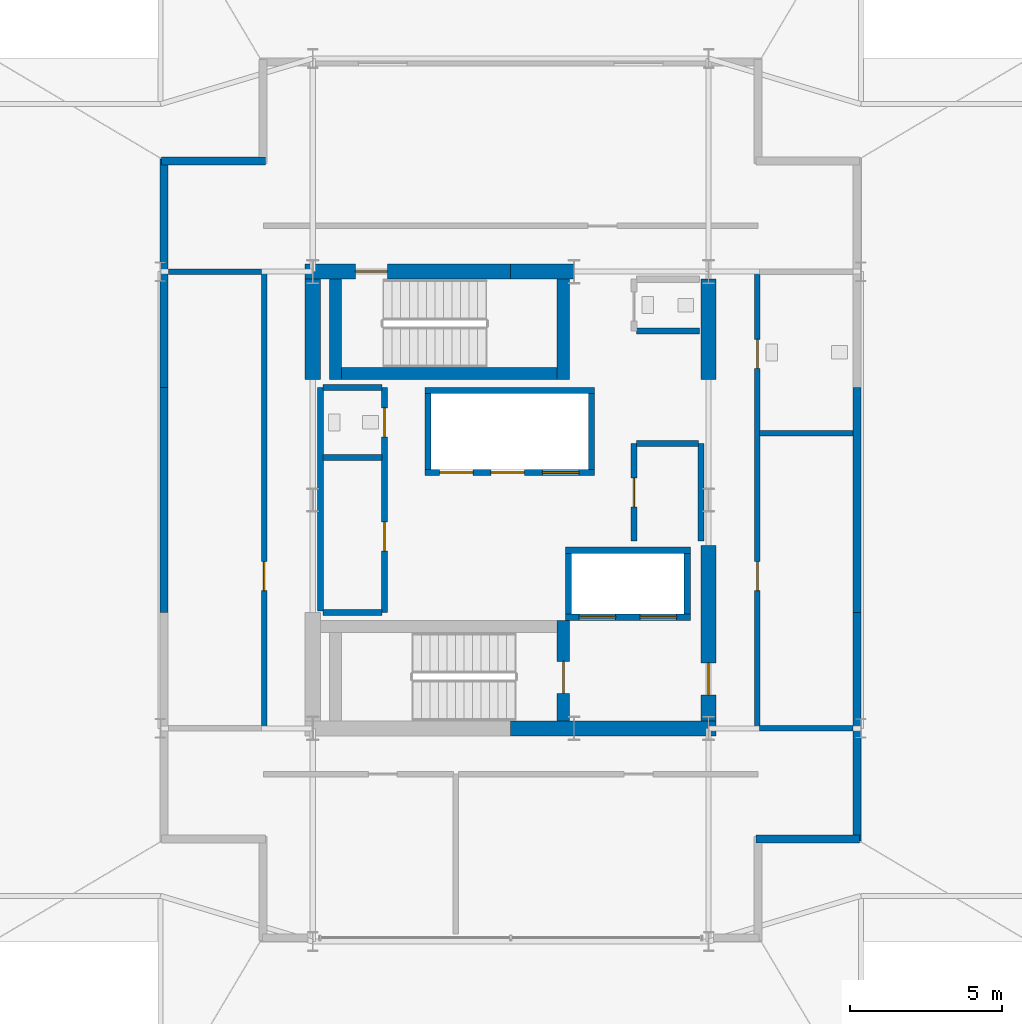
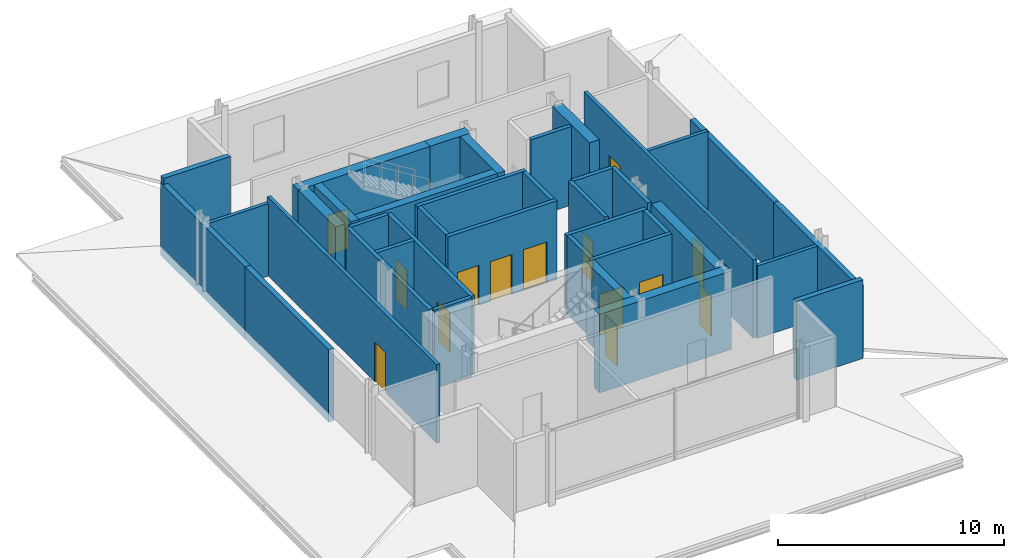
# One storey, part 6 of 9: 38 walls, 14 doors, 14 openings.
"""IFC4 building model written with IfcOpenShell, lengths in metres."""

from ifc_helpers import new_model, si_unit, direction, frame, frame_2d, origin, place, context, subcontext, project, spatial, rectangle, extrude, material, layer, layer_set, type_object, element, fill, save


model = new_model("IFC4")

# Units and contexts
model_context = context("Model", 3, precision=1e-05, world=origin(), true_north=direction((0.0, 1.0)))
body_context = subcontext(model_context, "Body", "Model", "MODEL_VIEW")
ifc_project = project(units=[si_unit("LENGTHUNIT", "METRE"), si_unit("AREAUNIT", "SQUARE_METRE"), si_unit("VOLUMEUNIT", "CUBIC_METRE"), si_unit("PLANEANGLEUNIT", "RADIAN"), si_unit("MASSUNIT", "GRAM", prefix="KILO")], contexts=[model_context])

# Site, building, storey
site_placement = place(None, origin())
site = spatial("IfcSite", under=ifc_project, at=site_placement, CompositionType="ELEMENT")
building_placement = place(site_placement, origin())
building = spatial("IfcBuilding", under=site, at=building_placement, Name="Barlavira Tower and Art Museum", CompositionType="ELEMENT")
storey_placement = place(building_placement, frame((0.0, 0.0, 309.89990234375)))
storey = spatial("IfcBuildingStorey", under=building, at=storey_placement, Name="L81", CompositionType="ELEMENT", Elevation=309.89990234375)

# Wall
ifc_material_1 = material(Name="Concrete C60", Category="concrete")
ifc_layer_1 = layer(ifc_material_1, 0.5, Name="Concrete C60")
ifc_layer_set_1 = layer_set([ifc_layer_1], Name="Concrete C60")
wall_type_1 = type_object("IfcWallType", Name="Core Structural Shear Wall 500 Concrete C60", PredefinedType="SHEAR", material=ifc_layer_set_1)
wall_1_placement = place(storey_placement, frame((0.0, -7.5, 0.0), z_axis=(0.0, 0.0, 1.0), x_axis=(1.0, 0.0, 0.0)))
element("IfcWall", 1, at=wall_1_placement, inside=storey, type_object=wall_type_1, Name="L81 Core Shear Wall CS-SE", PredefinedType="SHEAR", context=body_context, shape_type="SweptSolid", body=[
    extrude(rectangle(XDim=6.75, YDim=0.5, at=frame_2d((3.375, 0.0))), origin(), (0.0, 0.0, 1.0), 4.25),
])

# Wall, opening, door
wall_2_placement = place(storey_placement, frame((-6.75, 7.5, 0.0), z_axis=(0.0, 0.0, 1.0), x_axis=(1.0, 0.0, 0.0)))
wall_2 = element("IfcWall", 2, at=wall_2_placement, inside=storey, type_object=wall_type_1, Name="L81 Core Shear Wall CS-NW", PredefinedType="SHEAR", context=body_context, shape_type="SweptSolid", body=[
    extrude(rectangle(XDim=6.75, YDim=0.5, at=frame_2d((3.375, 0.0))), origin(), (0.0, 0.0, 1.0), 4.25),
])
opening_1_placement = place(wall_2_placement, frame((1.64990234375, 0.0, 0.0)))
opening_1 = element("IfcOpeningElement", 3, at=opening_1_placement, cuts=wall_2, Name="Opening FD-90", PredefinedType="OPENING", context=body_context, shape_type="SweptSolid", body=[
    extrude(rectangle(XDim=1.050048828125, YDim=2.14990234375, at=frame_2d((0.52490234375, 1.074951171875))), frame((0.0, 0.260009765625, 0.0), z_axis=(0.0, -1.0, 0.0), x_axis=(1.0, 0.0, 0.0)), (0.0, 0.0, 1.0), 0.52001953125),
])
ifc_material_2 = material(Name="Brushed stainless steel", Category="steel")
door_type_1 = type_object("IfcDoorType", Name="Stair and Refuge Fire Door 1050x2150 FD90S", OperationType="NOTDEFINED", PredefinedType="DOOR", material=ifc_material_2)
door_1_placement = place(opening_1_placement, origin())
door_1 = element("IfcDoor", 4, at=door_1_placement, inside=storey, type_object=door_type_1, Name="L81 Stair ST-T2 Fire Door", OperationType="SINGLE_SWING_LEFT", OverallHeight=2.14990234375, OverallWidth=1.050048828125, PredefinedType="DOOR", context=body_context, shape_type="SweptSolid", body=[
    extrude(rectangle(XDim=1.050048828125, YDim=2.14990234375, at=frame_2d((0.52490234375, 1.074951171875))), frame((0.0, 0.02490234375, 0.0), z_axis=(0.0, -1.0, 0.0), x_axis=(1.0, 0.0, 0.0)), (0.0, 0.0, 1.0), 0.050048828125),
])
fill(opening_1, door_1)

# Walls
wall_3_placement = place(storey_placement, frame((0.0, 7.5, 0.0), z_axis=(0.0, 0.0, 1.0), x_axis=(1.0, 0.0, 0.0)))
element("IfcWall", 5, at=wall_3_placement, inside=storey, type_object=wall_type_1, Name="L81 Core Shear Wall CS-EN", PredefinedType="SHEAR", context=body_context, shape_type="SweptSolid", body=[
    extrude(rectangle(XDim=2.080078125, YDim=0.5, at=frame_2d((1.0400390625, 0.0))), origin(), (0.0, 0.0, 1.0), 4.25),
])
wall_4_placement = place(storey_placement, frame((-6.5, 3.949951171875, 0.0), z_axis=(0.0, 0.0, 1.0), x_axis=(0.0, 1.0, 0.0)))
element("IfcWall", 6, at=wall_4_placement, inside=storey, type_object=wall_type_1, Name="L81 Core Shear Wall CS-W2", PredefinedType="SHEAR", context=body_context, shape_type="SweptSolid", body=[
    extrude(rectangle(XDim=3.300048828125, YDim=0.5, at=frame_2d((1.64990234375, 0.0))), origin(), (0.0, 0.0, 1.0), 4.25),
])

# Wall, opening, door
wall_5_placement = place(storey_placement, frame((6.5, -7.25, 0.0), z_axis=(0.0, 0.0, 1.0), x_axis=(0.0, 1.0, 0.0)))
wall_5 = element("IfcWall", 7, at=wall_5_placement, inside=storey, type_object=wall_type_1, Name="L81 Core Shear Wall CS-E1", PredefinedType="SHEAR", context=body_context, shape_type="SweptSolid", body=[
    extrude(rectangle(XDim=5.75, YDim=0.5, at=frame_2d((2.875, 0.0))), origin(), (0.0, 0.0, 1.0), 4.25),
])
opening_2_placement = place(wall_5_placement, frame((0.85009765625, 0.0, 0.0)))
opening_2 = element("IfcOpeningElement", 8, at=opening_2_placement, cuts=wall_5, Name="Opening FD-90", PredefinedType="OPENING", context=body_context, shape_type="SweptSolid", body=[
    extrude(rectangle(XDim=1.050048828125, YDim=2.14990234375, at=frame_2d((0.52490234375, 1.074951171875))), frame((0.0, 0.260009765625, 0.0), z_axis=(0.0, -1.0, 0.0), x_axis=(1.0, 0.0, 0.0)), (0.0, 0.0, 1.0), 0.52001953125),
])
door_2_placement = place(opening_2_placement, origin())
door_2 = element("IfcDoor", 9, at=door_2_placement, inside=storey, type_object=door_type_1, Name="L81 Firefighting Lobby Entry Fire Door", OperationType="SINGLE_SWING_LEFT", OverallHeight=2.14990234375, OverallWidth=1.050048828125, PredefinedType="DOOR", context=body_context, shape_type="SweptSolid", body=[
    extrude(rectangle(XDim=1.050048828125, YDim=2.14990234375, at=frame_2d((0.52490234375, 1.074951171875))), frame((0.0, 0.02490234375, 0.0), z_axis=(0.0, -1.0, 0.0), x_axis=(1.0, 0.0, 0.0)), (0.0, 0.0, 1.0), 0.050048828125),
])
fill(opening_2, door_2)

# Walls
wall_6_placement = place(storey_placement, frame((6.5, 3.949951171875, 0.0), z_axis=(0.0, 0.0, 1.0), x_axis=(0.0, 1.0, 0.0)))
element("IfcWall", 10, at=wall_6_placement, inside=storey, type_object=wall_type_1, Name="L81 Core Shear Wall CS-E2", PredefinedType="SHEAR", context=body_context, shape_type="SweptSolid", body=[
    extrude(rectangle(XDim=3.300048828125, YDim=0.5, at=frame_2d((1.64990234375, 0.0))), origin(), (0.0, 0.0, 1.0), 4.25),
])
ifc_material_3 = material(Name="Architectural white precast concrete C40", Category="concrete")
ifc_layer_2 = layer(ifc_material_3, 0.260009765625, Name="Architectural white precast concrete C40")
ifc_layer_set_2 = layer_set([ifc_layer_2], Name="Architectural white precast concrete C40")
wall_type_2 = type_object("IfcWallType", Name="Crown Architectural White Precast Wall 260 Concrete C40", PredefinedType="SOLIDWALL", material=ifc_layer_set_2)
wall_7_placement = place(storey_placement, frame((-11.3798828125, 3.699951171875, 0.0), z_axis=(0.0, 0.0, 1.0), x_axis=(0.0, -1.0, 0.0)))
element("IfcWall", 11, at=wall_7_placement, inside=storey, type_object=wall_type_2, Name="L81 Chisel W White Precast Wall 2", PredefinedType="SOLIDWALL", context=body_context, shape_type="SweptSolid", body=[
    extrude(rectangle(XDim=7.39990234375, YDim=0.260009765625, at=frame_2d((3.699951171875, 0.0))), origin(), (0.0, 0.0, 1.0), 3.918212890625),
])
for number, where, z_axis, x_axis, name in (
    (12, (-11.3798828125, 11.199951171875, 0.0), (0.0, 0.0, 1.0), (0.0, -1.0, 0.0), "L81 Chisel W White Precast Wall 3"),
    (13, (11.3798828125, -11.199951171875, 0.0), (0.0, 0.0, 1.0), (0.0, 1.0, 0.0), "L81 Chisel E White Precast Wall 1"),
):
    element("IfcWall", number, at=place(storey_placement, frame(where, z_axis=z_axis, x_axis=x_axis)), inside=storey, type_object=wall_type_2, Name=name, PredefinedType="SOLIDWALL", context=body_context, shape_type="SweptSolid", body=[
        extrude(rectangle(XDim=7.5, YDim=0.260009765625, at=frame_2d((3.75, 0.0))), origin(), (0.0, 0.0, 1.0), 3.918212890625),
    ])
wall_8_placement = place(storey_placement, frame((11.3798828125, -3.699951171875, 0.0), z_axis=(0.0, 0.0, 1.0), x_axis=(0.0, 1.0, 0.0)))
element("IfcWall", 14, at=wall_8_placement, inside=storey, type_object=wall_type_2, Name="L81 Chisel E White Precast Wall 2", PredefinedType="SOLIDWALL", context=body_context, shape_type="SweptSolid", body=[
    extrude(rectangle(XDim=7.39990234375, YDim=0.260009765625, at=frame_2d((3.699951171875, 0.0))), origin(), (0.0, 0.0, 1.0), 3.918212890625),
])
for number, where, z_axis, x_axis, name in (
    (15, (8.050048828125, -11.1298828125, 0.0), (0.0, 0.0, 1.0), (1.0, 0.0, 0.0), "L81 Crown Notch White Precast Wall SE2"),
    (16, (-8.050048828125, 11.1298828125, 0.0), (0.0, 0.0, 1.0), (-1.0, 0.0, 0.0), "L81 Crown Notch White Precast Wall NW2"),
):
    element("IfcWall", number, at=place(storey_placement, frame(where, z_axis=z_axis, x_axis=x_axis)), inside=storey, type_object=wall_type_2, Name=name, PredefinedType="SOLIDWALL", context=body_context, shape_type="SweptSolid", body=[
        extrude(rectangle(XDim=3.409912109375, YDim=0.260009765625, at=frame_2d((1.705078125, 0.0))), origin(), (0.0, 0.0, 1.0), 4.25),
    ])

# Wall, openings, doors
ifc_material_4 = material(Name="Autoclaved aerated concrete masonry", Category="masonry")
ifc_layer_3 = layer(ifc_material_4, 0.199951171875, Name="Autoclaved aerated concrete masonry")
ifc_layer_set_3 = layer_set([ifc_layer_3], Name="Autoclaved aerated concrete masonry")
wall_type_3 = type_object("IfcWallType", Name="Fire Compartment and Shaft Wall 200", PredefinedType="SOLIDWALL", material=ifc_layer_set_3)
wall_9_placement = place(storey_placement, frame((-2.820068359375, 0.89990234375, 0.0), z_axis=(0.0, 0.0, 1.0), x_axis=(1.0, 0.0, 0.0)))
wall_9 = element("IfcWall", 17, at=wall_9_placement, inside=storey, type_object=wall_type_3, Name="L81 High-Rise & Service Lift Front Wall", PredefinedType="SOLIDWALL", context=body_context, shape_type="SweptSolid", body=[
    extrude(rectangle(XDim=5.580078125, YDim=0.199951171875, at=frame_2d((2.7900390625, 0.0))), origin(), (0.0, 0.0, 1.0), 4.25),
])
opening_3_placement = place(wall_9_placement, frame((0.489990234375, 0.0, 0.0)))
opening_3 = element("IfcOpeningElement", 18, at=opening_3_placement, cuts=wall_9, Name="Opening LD-P", PredefinedType="OPENING", context=body_context, shape_type="SweptSolid", body=[
    extrude(rectangle(XDim=1.10009765625, YDim=2.14990234375, at=frame_2d((0.550048828125, 1.074951171875))), frame((0.0, 0.10986328125, 0.0), z_axis=(0.0, -1.0, 0.0), x_axis=(1.0, 0.0, 0.0)), (0.0, 0.0, 1.0), 0.219970703125),
])
opening_4_placement = place(wall_9_placement, frame((2.169921875, 0.0, 0.0)))
opening_4 = element("IfcOpeningElement", 19, at=opening_4_placement, cuts=wall_9, Name="Opening LD-P", PredefinedType="OPENING", context=body_context, shape_type="SweptSolid", body=[
    extrude(rectangle(XDim=1.10009765625, YDim=2.14990234375, at=frame_2d((0.550048828125, 1.074951171875))), frame((0.0, 0.10986328125, 0.0), z_axis=(0.0, -1.0, 0.0), x_axis=(1.0, 0.0, 0.0)), (0.0, 0.0, 1.0), 0.219970703125),
])
opening_5_placement = place(wall_9_placement, frame((3.860107421875, 0.0, 0.0)))
opening_5 = element("IfcOpeningElement", 20, at=opening_5_placement, cuts=wall_9, Name="Opening LD-F", PredefinedType="OPENING", context=body_context, shape_type="SweptSolid", body=[
    extrude(rectangle(XDim=1.199951171875, YDim=2.199951171875, at=frame_2d((0.60009765625, 1.10009765625))), frame((0.0, 0.10986328125, 0.0), z_axis=(0.0, -1.0, 0.0), x_axis=(1.0, 0.0, 0.0)), (0.0, 0.0, 1.0), 0.219970703125),
])
door_type_2 = type_object("IfcDoorType", Name="Firefighting and Service Lift Sliding Door 1200x2200 FD120", OperationType="NOTDEFINED", PredefinedType="DOOR", material=ifc_material_2)
door_3_placement = place(opening_5_placement, origin())
door_3 = element("IfcDoor", 21, at=door_3_placement, inside=storey, type_object=door_type_2, Name="L81 Stretcher Service Lift SL1 Sliding Door", OperationType="DOUBLE_DOOR_SLIDING", OverallHeight=2.199951171875, OverallWidth=1.199951171875, PredefinedType="DOOR", context=body_context, shape_type="SweptSolid", body=[
    extrude(rectangle(XDim=1.199951171875, YDim=2.199951171875, at=frame_2d((0.60009765625, 1.10009765625))), frame((0.0, 0.02490234375, 0.0), z_axis=(0.0, -1.0, 0.0), x_axis=(1.0, 0.0, 0.0)), (0.0, 0.0, 1.0), 0.050048828125),
])
fill(opening_5, door_3)
door_type_3 = type_object("IfcDoorType", Name="Passenger Lift Sliding Landing Door 1100x2150 FD60", OperationType="NOTDEFINED", PredefinedType="DOOR", material=ifc_material_2)
door_4_placement = place(opening_3_placement, origin())
door_4 = element("IfcDoor", 22, at=door_4_placement, inside=storey, type_object=door_type_3, Name="L81 Lift PH1 Sliding Landing Door", OperationType="DOUBLE_DOOR_SLIDING", OverallHeight=2.14990234375, OverallWidth=1.10009765625, PredefinedType="DOOR", context=body_context, shape_type="SweptSolid", body=[
    extrude(rectangle(XDim=1.10009765625, YDim=2.14990234375, at=frame_2d((0.550048828125, 1.074951171875))), frame((0.0, 0.02490234375, 0.0), z_axis=(0.0, -1.0, 0.0), x_axis=(1.0, 0.0, 0.0)), (0.0, 0.0, 1.0), 0.050048828125),
])
fill(opening_3, door_4)
door_5_placement = place(opening_4_placement, origin())
door_5 = element("IfcDoor", 23, at=door_5_placement, inside=storey, type_object=door_type_3, Name="L81 Lift PH2 Sliding Landing Door", OperationType="DOUBLE_DOOR_SLIDING", OverallHeight=2.14990234375, OverallWidth=1.10009765625, PredefinedType="DOOR", context=body_context, shape_type="SweptSolid", body=[
    extrude(rectangle(XDim=1.10009765625, YDim=2.14990234375, at=frame_2d((0.550048828125, 1.074951171875))), frame((0.0, 0.02490234375, 0.0), z_axis=(0.0, -1.0, 0.0), x_axis=(1.0, 0.0, 0.0)), (0.0, 0.0, 1.0), 0.050048828125),
])
fill(opening_4, door_5)

# Walls
wall_10_placement = place(storey_placement, frame((-2.820068359375, 3.60009765625, 0.0), z_axis=(0.0, 0.0, 1.0), x_axis=(1.0, 0.0, 0.0)))
element("IfcWall", 24, at=wall_10_placement, inside=storey, type_object=wall_type_3, Name="L81 High-Rise & Service Lift Back Wall", PredefinedType="SOLIDWALL", context=body_context, shape_type="SweptSolid", body=[
    extrude(rectangle(XDim=5.580078125, YDim=0.199951171875, at=frame_2d((2.7900390625, 0.0))), origin(), (0.0, 0.0, 1.0), 4.25),
])
for number, where, z_axis, x_axis, name in (
    (25, (-2.719970703125, 1.0, 0.0), (0.0, 0.0, 1.0), (0.0, 1.0, 0.0), "L81 High-Rise & Service Lift West Wall"),
    (26, (2.659912109375, 1.0, 0.0), (0.0, 0.0, 1.0), (0.0, 1.0, 0.0), "L81 High-Rise & Service Lift East Wall"),
):
    element("IfcWall", number, at=place(storey_placement, frame(where, z_axis=z_axis, x_axis=x_axis)), inside=storey, type_object=wall_type_3, Name=name, PredefinedType="SOLIDWALL", context=body_context, shape_type="SweptSolid", body=[
        extrude(rectangle(XDim=2.5, YDim=0.199951171875, at=frame_2d((1.25, 0.0))), origin(), (0.0, 0.0, 1.0), 4.25),
    ])

# Wall, openings, doors
wall_11_placement = place(storey_placement, frame((1.800048828125, -3.85009765625, 0.0), z_axis=(0.0, 0.0, 1.0), x_axis=(1.0, 0.0, 0.0)))
wall_11 = element("IfcWall", 27, at=wall_11_placement, inside=storey, type_object=wall_type_3, Name="L81 Firefighting Lift Front Shaft Wall", PredefinedType="SOLIDWALL", context=body_context, shape_type="SweptSolid", body=[
    extrude(rectangle(XDim=4.099853515625, YDim=0.199951171875, at=frame_2d((2.0498046875, 0.0))), origin(), (0.0, 0.0, 1.0), 4.25),
])
opening_6_placement = place(wall_11_placement, frame((0.449951171875, 0.0, 0.0)))
opening_6 = element("IfcOpeningElement", 28, at=opening_6_placement, cuts=wall_11, Name="Opening LD-F", PredefinedType="OPENING", context=body_context, shape_type="SweptSolid", body=[
    extrude(rectangle(XDim=1.199951171875, YDim=2.199951171875, at=frame_2d((0.60009765625, 1.10009765625))), frame((0.0, 0.10986328125, 0.0), z_axis=(0.0, -1.0, 0.0), x_axis=(1.0, 0.0, 0.0)), (0.0, 0.0, 1.0), 0.219970703125),
])
opening_7_placement = place(wall_11_placement, frame((2.449951171875, 0.0, 0.0)))
opening_7 = element("IfcOpeningElement", 29, at=opening_7_placement, cuts=wall_11, Name="Opening LD-F", PredefinedType="OPENING", context=body_context, shape_type="SweptSolid", body=[
    extrude(rectangle(XDim=1.199951171875, YDim=2.199951171875, at=frame_2d((0.60009765625, 1.10009765625))), frame((0.0, 0.10986328125, 0.0), z_axis=(0.0, -1.0, 0.0), x_axis=(1.0, 0.0, 0.0)), (0.0, 0.0, 1.0), 0.219970703125),
])
door_6_placement = place(opening_6_placement, origin())
door_6 = element("IfcDoor", 30, at=door_6_placement, inside=storey, type_object=door_type_2, Name="L81 Firefighting Lift FF1 Sliding Door", OperationType="DOUBLE_DOOR_SLIDING", OverallHeight=2.199951171875, OverallWidth=1.199951171875, PredefinedType="DOOR", context=body_context, shape_type="SweptSolid", body=[
    extrude(rectangle(XDim=1.199951171875, YDim=2.199951171875, at=frame_2d((0.60009765625, 1.10009765625))), frame((0.0, 0.02490234375, 0.0), z_axis=(0.0, -1.0, 0.0), x_axis=(1.0, 0.0, 0.0)), (0.0, 0.0, 1.0), 0.050048828125),
])
fill(opening_6, door_6)
door_7_placement = place(opening_7_placement, origin())
door_7 = element("IfcDoor", 31, at=door_7_placement, inside=storey, type_object=door_type_2, Name="L81 Firefighting Lift FF2 Sliding Door", OperationType="DOUBLE_DOOR_SLIDING", OverallHeight=2.199951171875, OverallWidth=1.199951171875, PredefinedType="DOOR", context=body_context, shape_type="SweptSolid", body=[
    extrude(rectangle(XDim=1.199951171875, YDim=2.199951171875, at=frame_2d((0.60009765625, 1.10009765625))), frame((0.0, 0.02490234375, 0.0), z_axis=(0.0, -1.0, 0.0), x_axis=(1.0, 0.0, 0.0)), (0.0, 0.0, 1.0), 0.050048828125),
])
fill(opening_7, door_7)

# Walls
wall_12_placement = place(storey_placement, frame((1.800048828125, -1.64990234375, 0.0), z_axis=(0.0, 0.0, 1.0), x_axis=(1.0, 0.0, 0.0)))
element("IfcWall", 32, at=wall_12_placement, inside=storey, type_object=wall_type_3, Name="L81 Firefighting Lift Back Shaft Wall", PredefinedType="SOLIDWALL", context=body_context, shape_type="SweptSolid", body=[
    extrude(rectangle(XDim=4.099853515625, YDim=0.199951171875, at=frame_2d((2.0498046875, 0.0))), origin(), (0.0, 0.0, 1.0), 4.25),
])
for number, where, z_axis, x_axis, name in (
    (33, (1.89990234375, -3.75, 0.0), (0.0, 0.0, 1.0), (0.0, 1.0, 0.0), "L81 Firefighting Lift West Shaft Wall"),
    (34, (5.800048828125, -3.75, 0.0), (0.0, 0.0, 1.0), (0.0, 1.0, 0.0), "L81 Firefighting Lift East Shaft Wall"),
):
    element("IfcWall", number, at=place(storey_placement, frame(where, z_axis=z_axis, x_axis=x_axis)), inside=storey, type_object=wall_type_3, Name=name, PredefinedType="SOLIDWALL", context=body_context, shape_type="SweptSolid", body=[
        extrude(rectangle(XDim=2.0, YDim=0.199951171875, at=frame_2d((1.0, 0.0))), origin(), (0.0, 0.0, 1.0), 4.25),
    ])
wall_13_placement = place(storey_placement, frame((-6.25, -3.639892578125, 0.0), z_axis=(0.0, 0.0, 1.0), x_axis=(0.0, 1.0, 0.0)))
element("IfcWall", 35, at=wall_13_placement, inside=storey, type_object=wall_type_3, Name="L81 Partition Wall 2", PredefinedType="SOLIDWALL", context=body_context, shape_type="SweptSolid", body=[
    extrude(rectangle(XDim=7.33984375, YDim=0.199951171875, at=frame_2d((3.669921875, 0.0))), origin(), (0.0, 0.0, 1.0), 4.25),
])

# Wall, openings, doors
wall_14_placement = place(storey_placement, frame((-4.14990234375, -3.699951171875, 0.0), z_axis=(0.0, 0.0, 1.0), x_axis=(0.0, 1.0, 0.0)))
wall_14 = element("IfcWall", 36, at=wall_14_placement, inside=storey, type_object=wall_type_3, Name="L81 Partition Wall 3", PredefinedType="SOLIDWALL", context=body_context, shape_type="SweptSolid", body=[
    extrude(rectangle(XDim=7.39990234375, YDim=0.199951171875, at=frame_2d((3.699951171875, 0.0))), origin(), (0.0, 0.0, 1.0), 4.25),
])
opening_8_placement = place(wall_14_placement, frame((2.02490234375, 0.0, 0.0)))
opening_8 = element("IfcOpeningElement", 37, at=opening_8_placement, cuts=wall_14, Name="Opening FD-60", PredefinedType="OPENING", context=body_context, shape_type="SweptSolid", body=[
    extrude(rectangle(XDim=0.949951171875, YDim=2.14990234375, at=frame_2d((0.47509765625, 1.074951171875))), frame((0.0, 0.10986328125, 0.0), z_axis=(0.0, -1.0, 0.0), x_axis=(1.0, 0.0, 0.0)), (0.0, 0.0, 1.0), 0.219970703125),
])
opening_9_placement = place(wall_14_placement, frame((5.77490234375, 0.0, 0.0)))
opening_9 = element("IfcOpeningElement", 38, at=opening_9_placement, cuts=wall_14, Name="Opening FD-60", PredefinedType="OPENING", context=body_context, shape_type="SweptSolid", body=[
    extrude(rectangle(XDim=0.949951171875, YDim=2.14990234375, at=frame_2d((0.47509765625, 1.074951171875))), frame((0.0, 0.10986328125, 0.0), z_axis=(0.0, -1.0, 0.0), x_axis=(1.0, 0.0, 0.0)), (0.0, 0.0, 1.0), 0.219970703125),
])
door_type_4 = type_object("IfcDoorType", Name="Apartment Entrance and Riser Fire Door 950x2150 FD60S", OperationType="NOTDEFINED", PredefinedType="DOOR", material=ifc_material_2)
door_8_placement = place(opening_8_placement, origin())
door_8 = element("IfcDoor", 39, at=door_8_placement, inside=storey, type_object=door_type_4, Name="Reclaimed Core Resident Parcel Room Door", OperationType="SINGLE_SWING_LEFT", OverallHeight=2.14990234375, OverallWidth=0.949951171875, PredefinedType="DOOR", context=body_context, shape_type="SweptSolid", body=[
    extrude(rectangle(XDim=0.949951171875, YDim=2.14990234375, at=frame_2d((0.47509765625, 1.074951171875))), frame((0.0, 0.02490234375, 0.0), z_axis=(0.0, -1.0, 0.0), x_axis=(1.0, 0.0, 0.0)), (0.0, 0.0, 1.0), 0.050048828125),
])
fill(opening_8, door_8)
door_9_placement = place(opening_9_placement, origin())
door_9 = element("IfcDoor", 40, at=door_9_placement, inside=storey, type_object=door_type_4, Name="Reclaimed Core Accessible WC Door", OperationType="SINGLE_SWING_RIGHT", OverallHeight=2.14990234375, OverallWidth=0.949951171875, PredefinedType="DOOR", context=body_context, shape_type="SweptSolid", body=[
    extrude(rectangle(XDim=0.949951171875, YDim=2.14990234375, at=frame_2d((0.47509765625, 1.074951171875))), frame((0.0, 0.02490234375, 0.0), z_axis=(0.0, -1.0, 0.0), x_axis=(1.0, 0.0, 0.0)), (0.0, 0.0, 1.0), 0.050048828125),
])
fill(opening_9, door_9)

# Wall, opening, door
wall_15_placement = place(storey_placement, frame((4.050048828125, -1.35009765625, 0.0), z_axis=(0.0, 0.0, 1.0), x_axis=(0.0, 1.0, 0.0)))
wall_15 = element("IfcWall", 41, at=wall_15_placement, inside=storey, type_object=wall_type_3, Name="L81 Partition Wall 5", PredefinedType="SOLIDWALL", context=body_context, shape_type="SweptSolid", body=[
    extrude(rectangle(XDim=3.2001953125, YDim=0.199951171875, at=frame_2d((1.60009765625, 0.0))), origin(), (0.0, 0.0, 1.0), 4.25),
])
opening_10_placement = place(wall_15_placement, frame((1.125, 0.0, 0.0)))
opening_10 = element("IfcOpeningElement", 42, at=opening_10_placement, cuts=wall_15, Name="Opening FD-60", PredefinedType="OPENING", context=body_context, shape_type="SweptSolid", body=[
    extrude(rectangle(XDim=0.949951171875, YDim=2.14990234375, at=frame_2d((0.47509765625, 1.074951171875))), frame((0.0, 0.10986328125, 0.0), z_axis=(0.0, -1.0, 0.0), x_axis=(1.0, 0.0, 0.0)), (0.0, 0.0, 1.0), 0.219970703125),
])
door_10_placement = place(opening_10_placement, origin())
door_10 = element("IfcDoor", 43, at=door_10_placement, inside=storey, type_object=door_type_4, Name="Reclaimed Upper Core Valet Store Door", OperationType="SINGLE_SWING_LEFT", OverallHeight=2.14990234375, OverallWidth=0.949951171875, PredefinedType="DOOR", context=body_context, shape_type="SweptSolid", body=[
    extrude(rectangle(XDim=0.949951171875, YDim=2.14990234375, at=frame_2d((0.47509765625, 1.074951171875))), frame((0.0, 0.02490234375, 0.0), z_axis=(0.0, -1.0, 0.0), x_axis=(1.0, 0.0, 0.0)), (0.0, 0.0, 1.0), 0.050048828125),
])
fill(opening_10, door_10)

# Walls
wall_16_placement = place(storey_placement, frame((6.25, -1.35009765625, 0.0), z_axis=(0.0, 0.0, 1.0), x_axis=(0.0, 1.0, 0.0)))
element("IfcWall", 44, at=wall_16_placement, inside=storey, type_object=wall_type_3, Name="L81 Partition Wall 7", PredefinedType="SOLIDWALL", context=body_context, shape_type="SweptSolid", body=[
    extrude(rectangle(XDim=3.2001953125, YDim=0.199951171875, at=frame_2d((1.60009765625, 0.0))), origin(), (0.0, 0.0, 1.0), 4.25),
])
for number, where, z_axis, x_axis, name in (
    (45, (-6.169921875, -3.699951171875, 0.0), (0.0, 0.0, 1.0), (1.0, 0.0, 0.0), "L81 Partition Wall 13"),
    (46, (-6.169921875, 1.39990234375, 0.0), (0.0, 0.0, 1.0), (1.0, 0.0, 0.0), "L81 Partition Wall 14"),
):
    element("IfcWall", number, at=place(storey_placement, frame(where, z_axis=z_axis, x_axis=x_axis)), inside=storey, type_object=wall_type_3, Name=name, PredefinedType="SOLIDWALL", context=body_context, shape_type="SweptSolid", body=[
        extrude(rectangle(XDim=1.93994140625, YDim=0.199951171875, at=frame_2d((0.969970703125, 0.0))), origin(), (0.0, 0.0, 1.0), 4.25),
    ])
wall_17_placement = place(storey_placement, frame((4.1298828125, 1.85009765625, 0.0), z_axis=(0.0, 0.0, 1.0), x_axis=(1.0, 0.0, 0.0)))
element("IfcWall", 47, at=wall_17_placement, inside=storey, type_object=wall_type_3, Name="L81 Partition Wall 15", PredefinedType="SOLIDWALL", context=body_context, shape_type="SweptSolid", body=[
    extrude(rectangle(XDim=2.0400390625, YDim=0.199951171875, at=frame_2d((1.02001953125, 0.0))), origin(), (0.0, 0.0, 1.0), 4.25),
])
wall_18_placement = place(storey_placement, frame((-6.169921875, 3.699951171875, 0.0), z_axis=(0.0, 0.0, 1.0), x_axis=(1.0, 0.0, 0.0)))
element("IfcWall", 48, at=wall_18_placement, inside=storey, type_object=wall_type_3, Name="L81 Partition Wall 17", PredefinedType="SOLIDWALL", context=body_context, shape_type="SweptSolid", body=[
    extrude(rectangle(XDim=1.93994140625, YDim=0.199951171875, at=frame_2d((0.969970703125, 0.0))), origin(), (0.0, 0.0, 1.0), 4.25),
])
wall_19_placement = place(storey_placement, frame((4.1298828125, 5.550048828125, 0.0), z_axis=(0.0, 0.0, 1.0), x_axis=(1.0, 0.0, 0.0)))
element("IfcWall", 49, at=wall_19_placement, inside=storey, type_object=wall_type_3, Name="L81 Partition Wall 18", PredefinedType="SOLIDWALL", context=body_context, shape_type="SweptSolid", body=[
    extrude(rectangle(XDim=2.070068359375, YDim=0.199951171875, at=frame_2d((1.03515625, 0.0))), origin(), (0.0, 0.0, 1.0), 4.25),
])

# Wall, opening, door
ifc_material_5 = material(Name="Gypsum acoustic stud partition", Category="gypsum")
ifc_layer_4 = layer(ifc_material_5, 0.179931640625, Name="Gypsum acoustic stud partition")
ifc_layer_set_4 = layer_set([ifc_layer_4], Name="Gypsum acoustic stud partition")
wall_type_4 = type_object("IfcWallType", Name="Inter-Tenancy Party Partition Wall 180", PredefinedType="PARTITIONING", material=ifc_layer_set_4)
wall_20_placement = place(storey_placement, frame((-8.10009765625, -7.5, 0.0), z_axis=(0.0, 0.0, 1.0), x_axis=(0.0, 1.0, 0.0)))
wall_20 = element("IfcWall", 50, at=wall_20_placement, inside=storey, type_object=wall_type_4, Name="L81 Partition Wall 1", PredefinedType="PARTITIONING", context=body_context, shape_type="SweptSolid", body=[
    extrude(rectangle(XDim=15.0, YDim=0.179931640625, at=frame_2d((7.5, 0.0))), origin(), (0.0, 0.0, 1.0), 4.25),
])
opening_11_placement = place(wall_20_placement, frame((4.52490234375, 0.0, 0.0)))
opening_11 = element("IfcOpeningElement", 51, at=opening_11_placement, cuts=wall_20, Name="Opening FD-60", PredefinedType="OPENING", context=body_context, shape_type="SweptSolid", body=[
    extrude(rectangle(XDim=0.949951171875, YDim=2.14990234375, at=frame_2d((0.47509765625, 1.074951171875))), frame((0.0, 0.10009765625, 0.0), z_axis=(0.0, -1.0, 0.0), x_axis=(1.0, 0.0, 0.0)), (0.0, 0.0, 1.0), 0.199951171875),
])
door_11_placement = place(opening_11_placement, origin())
door_11 = element("IfcDoor", 52, at=door_11_placement, inside=storey, type_object=door_type_4, Name="L81 Botanical Research Reading Library Door", OperationType="SINGLE_SWING_RIGHT", OverallHeight=2.14990234375, OverallWidth=0.949951171875, PredefinedType="DOOR", context=body_context, shape_type="SweptSolid", body=[
    extrude(rectangle(XDim=0.949951171875, YDim=2.14990234375, at=frame_2d((0.47509765625, 1.074951171875))), frame((0.0, 0.02490234375, 0.0), z_axis=(0.0, -1.0, 0.0), x_axis=(1.0, 0.0, 0.0)), (0.0, 0.0, 1.0), 0.050048828125),
])
fill(opening_11, door_11)

# Wall, openings, doors
wall_21_placement = place(storey_placement, frame((8.10009765625, -7.5, 0.0), z_axis=(0.0, 0.0, 1.0), x_axis=(0.0, 1.0, 0.0)))
wall_21 = element("IfcWall", 53, at=wall_21_placement, inside=storey, type_object=wall_type_4, Name="L81 Partition Wall 8", PredefinedType="PARTITIONING", context=body_context, shape_type="SweptSolid", body=[
    extrude(rectangle(XDim=15.0, YDim=0.179931640625, at=frame_2d((7.5, 0.0))), origin(), (0.0, 0.0, 1.0), 4.25),
])
opening_12_placement = place(wall_21_placement, frame((4.52490234375, 0.0, 0.0)))
opening_12 = element("IfcOpeningElement", 54, at=opening_12_placement, cuts=wall_21, Name="Opening FD-60", PredefinedType="OPENING", context=body_context, shape_type="SweptSolid", body=[
    extrude(rectangle(XDim=0.949951171875, YDim=2.14990234375, at=frame_2d((0.47509765625, 1.074951171875))), frame((0.0, 0.10009765625, 0.0), z_axis=(0.0, -1.0, 0.0), x_axis=(1.0, 0.0, 0.0)), (0.0, 0.0, 1.0), 0.199951171875),
])
opening_13_placement = place(wall_21_placement, frame((11.824951171875, 0.0, 0.0)))
opening_13 = element("IfcOpeningElement", 55, at=opening_13_placement, cuts=wall_21, Name="Opening FD-60", PredefinedType="OPENING", context=body_context, shape_type="SweptSolid", body=[
    extrude(rectangle(XDim=0.949951171875, YDim=2.14990234375, at=frame_2d((0.47509765625, 1.074951171875))), frame((0.0, 0.10009765625, 0.0), z_axis=(0.0, -1.0, 0.0), x_axis=(1.0, 0.0, 0.0)), (0.0, 0.0, 1.0), 0.199951171875),
])
door_12_placement = place(opening_12_placement, origin())
door_12 = element("IfcDoor", 56, at=door_12_placement, inside=storey, type_object=door_type_4, Name="L81 Shared Conservatory Pantry Kitchen Door", OperationType="SINGLE_SWING_LEFT", OverallHeight=2.14990234375, OverallWidth=0.949951171875, PredefinedType="DOOR", context=body_context, shape_type="SweptSolid", body=[
    extrude(rectangle(XDim=0.949951171875, YDim=2.14990234375, at=frame_2d((0.47509765625, 1.074951171875))), frame((0.0, 0.02490234375, 0.0), z_axis=(0.0, -1.0, 0.0), x_axis=(1.0, 0.0, 0.0)), (0.0, 0.0, 1.0), 0.050048828125),
])
fill(opening_12, door_12)
door_13_placement = place(opening_13_placement, origin())
door_13 = element("IfcDoor", 57, at=door_13_placement, inside=storey, type_object=door_type_4, Name="L81 Conservatory Accessible Restroom Door", OperationType="SINGLE_SWING_RIGHT", OverallHeight=2.14990234375, OverallWidth=0.949951171875, PredefinedType="DOOR", context=body_context, shape_type="SweptSolid", body=[
    extrude(rectangle(XDim=0.949951171875, YDim=2.14990234375, at=frame_2d((0.47509765625, 1.074951171875))), frame((0.0, 0.02490234375, 0.0), z_axis=(0.0, -1.0, 0.0), x_axis=(1.0, 0.0, 0.0)), (0.0, 0.0, 1.0), 0.050048828125),
])
fill(opening_13, door_13)

# Walls
wall_22_placement = place(storey_placement, frame((8.179931640625, -7.5, 0.0), z_axis=(0.0, 0.0, 1.0), x_axis=(1.0, 0.0, 0.0)))
element("IfcWall", 58, at=wall_22_placement, inside=storey, type_object=wall_type_4, Name="L81 Partition Wall 12", PredefinedType="PARTITIONING", context=body_context, shape_type="SweptSolid", body=[
    extrude(rectangle(XDim=3.065185546875, YDim=0.179931640625, at=frame_2d((1.53271484375, 0.0))), origin(), (0.0, 0.0, 1.0), 3.918212890625),
])
wall_23_placement = place(storey_placement, frame((8.179931640625, 2.199951171875, 0.0), z_axis=(0.0, 0.0, 1.0), x_axis=(1.0, 0.0, 0.0)))
element("IfcWall", 59, at=wall_23_placement, inside=storey, type_object=wall_type_4, Name="L81 Partition Wall 16", PredefinedType="PARTITIONING", context=body_context, shape_type="SweptSolid", body=[
    extrude(rectangle(XDim=3.065185546875, YDim=0.179931640625, at=frame_2d((1.53271484375, 0.0))), origin(), (0.0, 0.0, 1.0), 4.25),
])
wall_24_placement = place(storey_placement, frame((-11.2451171875, 7.5, 0.0), z_axis=(0.0, 0.0, 1.0), x_axis=(1.0, 0.0, 0.0)))
element("IfcWall", 60, at=wall_24_placement, inside=storey, type_object=wall_type_4, Name="L81 Partition Wall 20", PredefinedType="PARTITIONING", context=body_context, shape_type="SweptSolid", body=[
    extrude(rectangle(XDim=3.065185546875, YDim=0.179931640625, at=frame_2d((1.53271484375, 0.0))), origin(), (0.0, 0.0, 1.0), 3.918212890625),
])

# Wall, opening, door
ifc_material_6 = material(Name="Concrete C55", Category="concrete")
ifc_layer_5 = layer(ifc_material_6, 0.39990234375, Name="Concrete C55")
ifc_layer_set_5 = layer_set([ifc_layer_5], Name="Concrete C55")
wall_type_5 = type_object("IfcWallType", Name="Upper Core Shear Wall 400 Concrete C55", PredefinedType="SHEAR", material=ifc_layer_set_5)
wall_25_placement = place(storey_placement, frame((1.72998046875, -7.25, 0.0), z_axis=(0.0, 0.0, 1.0), x_axis=(0.0, 1.0, 0.0)))
wall_25 = element("IfcWall", 61, at=wall_25_placement, inside=storey, type_object=wall_type_5, Name="L81 ST-T1 East Landing Wall", PredefinedType="SHEAR", context=body_context, shape_type="SweptSolid", body=[
    extrude(rectangle(XDim=3.300048828125, YDim=0.39990234375, at=frame_2d((1.64990234375, 0.0))), origin(), (0.0, 0.0, 1.0), 4.25),
])
opening_14_placement = place(wall_25_placement, frame((0.89990234375, 0.0, 0.0)))
opening_14 = element("IfcOpeningElement", 62, at=opening_14_placement, cuts=wall_25, Name="Opening FD-90", PredefinedType="OPENING", context=body_context, shape_type="SweptSolid", body=[
    extrude(rectangle(XDim=1.050048828125, YDim=2.14990234375, at=frame_2d((0.52490234375, 1.074951171875))), frame((0.0, 0.2099609375, 0.0), z_axis=(0.0, -1.0, 0.0), x_axis=(1.0, 0.0, 0.0)), (0.0, 0.0, 1.0), 0.419921875),
])
door_14_placement = place(opening_14_placement, origin())
door_14 = element("IfcDoor", 63, at=door_14_placement, inside=storey, type_object=door_type_1, Name="L81 Stair ST-T1 Fire Door", OperationType="SINGLE_SWING_RIGHT", OverallHeight=2.14990234375, OverallWidth=1.050048828125, PredefinedType="DOOR", context=body_context, shape_type="SweptSolid", body=[
    extrude(rectangle(XDim=1.050048828125, YDim=2.14990234375, at=frame_2d((0.52490234375, 1.074951171875))), frame((0.0, 0.02490234375, 0.0), z_axis=(0.0, -1.0, 0.0), x_axis=(1.0, 0.0, 0.0)), (0.0, 0.0, 1.0), 0.050048828125),
])
fill(opening_14, door_14)

# Walls
wall_26_placement = place(storey_placement, frame((-5.550048828125, 4.14990234375, 0.0), z_axis=(0.0, 0.0, 1.0), x_axis=(1.0, 0.0, 0.0)))
element("IfcWall", 64, at=wall_26_placement, inside=storey, type_object=wall_type_5, Name="L81 ST-T2 South Shaft Wall", PredefinedType="SHEAR", context=body_context, shape_type="SweptSolid", body=[
    extrude(rectangle(XDim=7.080078125, YDim=0.39990234375, at=frame_2d((3.5400390625, 0.0))), origin(), (0.0, 0.0, 1.0), 4.25),
])
for number, where, z_axis, x_axis, name in (
    (65, (1.72998046875, 3.949951171875, 0.0), (0.0, 0.0, 1.0), (0.0, 1.0, 0.0), "L81 ST-T2 East Half-Landing Wall"),
    (66, (-5.75, 3.949951171875, 0.0), (0.0, 0.0, 1.0), (0.0, 1.0, 0.0), "L81 ST-T2 West Shaft Wall"),
):
    element("IfcWall", number, at=place(storey_placement, frame(where, z_axis=z_axis, x_axis=x_axis)), inside=storey, type_object=wall_type_5, Name=name, PredefinedType="SHEAR", context=body_context, shape_type="SweptSolid", body=[
        extrude(rectangle(XDim=3.300048828125, YDim=0.39990234375, at=frame_2d((1.64990234375, 0.0))), origin(), (0.0, 0.0, 1.0), 4.25),
    ])

save(model, "model.ifc")
